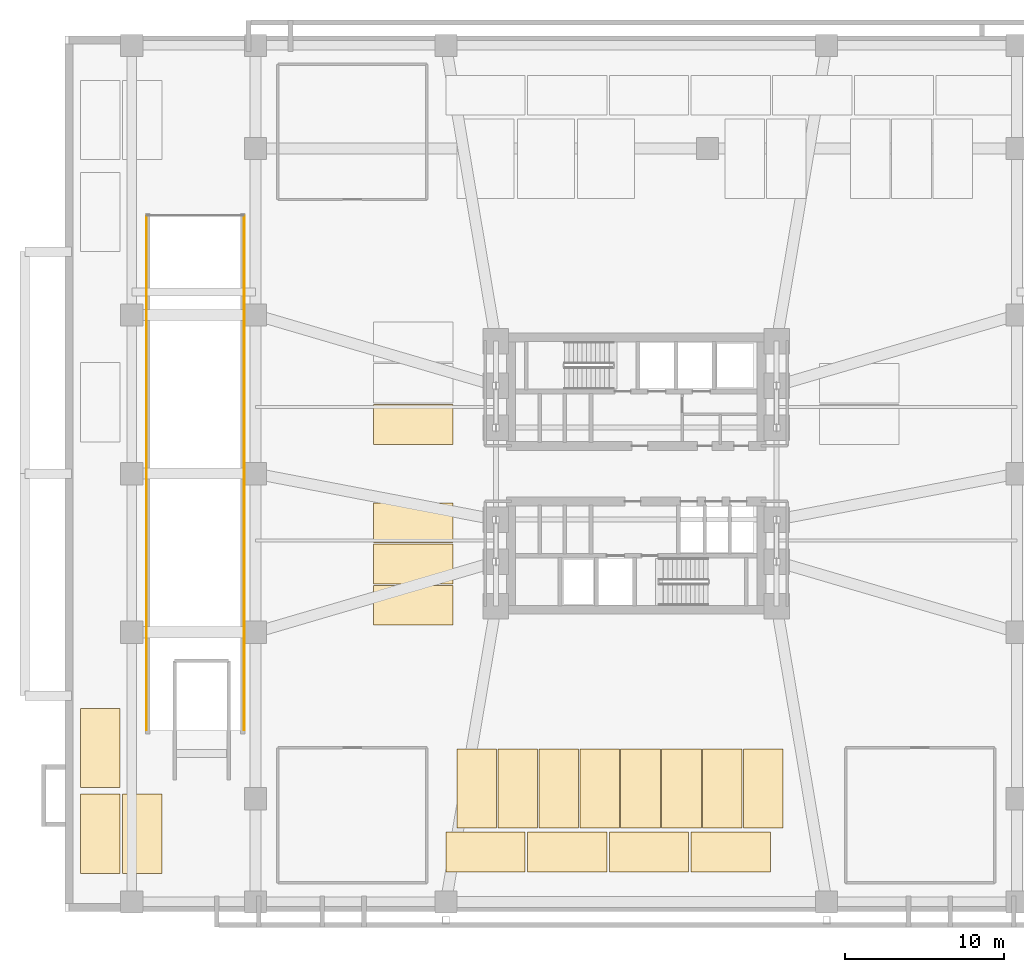
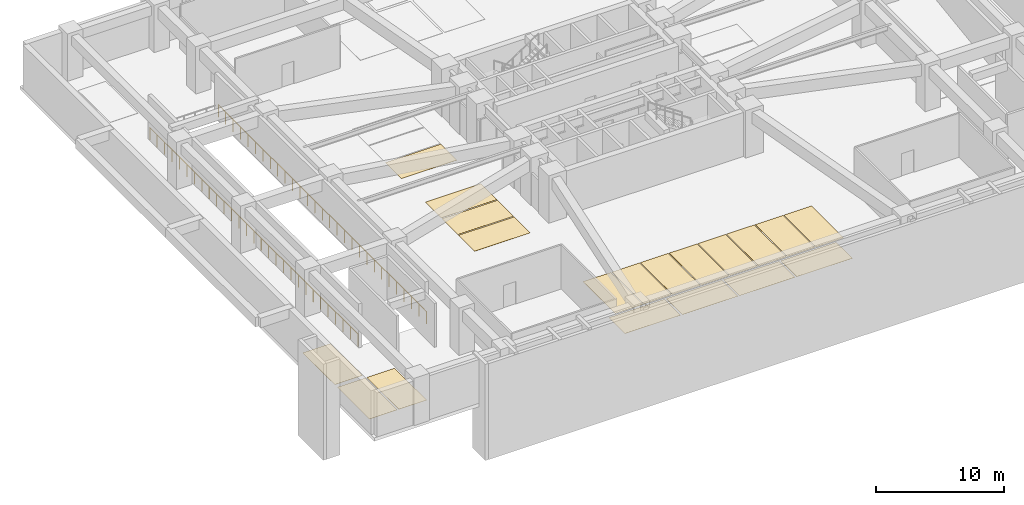
# One storey, part 9 of 13: 19 coverings, 2 railings.
"""IFC4 building model written with IfcOpenShell, lengths in metres."""

from ifc_helpers import new_model, si_unit, direction, frame, origin, origin_2d, place, context, subcontext, project, spatial, polyline, circle, outline, extrude, material, layer, layer_set, type_object, element, save


model = new_model("IFC4")

# Units and contexts
model_context = context("Model", 3, precision=1e-05, world=origin(), true_north=direction((0.0, 1.0)))
body_context = subcontext(model_context, "Body", "Model", "MODEL_VIEW")
ifc_project = project(units=[si_unit("LENGTHUNIT", "METRE"), si_unit("AREAUNIT", "SQUARE_METRE"), si_unit("VOLUMEUNIT", "CUBIC_METRE"), si_unit("PLANEANGLEUNIT", "RADIAN"), si_unit("MASSUNIT", "GRAM", prefix="KILO")], contexts=[model_context])

# Site, building, storey
site_placement = place(None, origin())
site = spatial("IfcSite", under=ifc_project, at=site_placement, CompositionType="ELEMENT")
building_placement = place(site_placement, origin())
building = spatial("IfcBuilding", under=site, at=building_placement, Name="Solmarez Civic Tower", CompositionType="ELEMENT")
storey_placement = place(building_placement, frame((0.0, 0.0, -4.5)))
storey = spatial("IfcBuildingStorey", under=building, at=storey_placement, Name="B1", CompositionType="ELEMENT", Elevation=-4.5)

# Coverings
ifc_material_1 = material(Name="Epoxy Traffic Deck Coating")
ifc_layer = layer(ifc_material_1, 0.010009765625)
ifc_layer_set = layer_set([ifc_layer], Name="Epoxy Traffic Deck Coating")
covering_type = type_object("IfcCoveringType", Name="COV-PARK-BAY", PredefinedType="FLOORING", material=ifc_layer_set)
covering_1_placement = place(storey_placement, origin())
element("IfcCovering", 1, at=covering_1_placement, inside=storey, type_object=covering_type, Name="B1 Parking Bay Marking 050", PredefinedType="FLOORING", context=body_context, shape_type="SweptSolid", body=[
    extrude(outline(polyline([(-11.300048828125, -22.35009765625), (-8.800048828125, -22.35009765625), (-8.800048828125, -17.35009765625), (-11.300048828125, -17.35009765625), (-11.300048828125, -22.35009765625)])), origin(), (0.0, 0.0, 1.0), 0.010009765625),
])
covering_2_placement = place(storey_placement, origin())
element("IfcCovering", 2, at=covering_2_placement, inside=storey, type_object=covering_type, Name="B1 Parking Bay Marking 051", PredefinedType="FLOORING", context=body_context, shape_type="SweptSolid", body=[
    extrude(outline(polyline([(-8.719970703125, -22.35009765625), (-6.219970703125, -22.35009765625), (-6.219970703125, -17.35009765625), (-8.719970703125, -17.35009765625), (-8.719970703125, -22.35009765625)])), origin(), (0.0, 0.0, 1.0), 0.010009765625),
])
covering_3_placement = place(storey_placement, origin())
element("IfcCovering", 3, at=covering_3_placement, inside=storey, type_object=covering_type, Name="B1 Parking Bay Marking 052", PredefinedType="FLOORING", context=body_context, shape_type="SweptSolid", body=[
    extrude(outline(polyline([(-6.139892578125, -22.35009765625), (-3.639892578125, -22.35009765625), (-3.639892578125, -17.35009765625), (-6.139892578125, -17.35009765625), (-6.139892578125, -22.35009765625)])), origin(), (0.0, 0.0, 1.0), 0.010009765625),
])
covering_4_placement = place(storey_placement, origin())
element("IfcCovering", 4, at=covering_4_placement, inside=storey, type_object=covering_type, Name="B1 Parking Bay Marking 053", PredefinedType="FLOORING", context=body_context, shape_type="SweptSolid", body=[
    extrude(outline(polyline([(-3.56005859375, -22.35009765625), (-1.06005859375, -22.35009765625), (-1.06005859375, -17.35009765625), (-3.56005859375, -17.35009765625), (-3.56005859375, -22.35009765625)])), origin(), (0.0, 0.0, 1.0), 0.010009765625),
])
covering_5_placement = place(storey_placement, origin())
element("IfcCovering", 5, at=covering_5_placement, inside=storey, type_object=covering_type, Name="B1 Parking Bay Marking 054", PredefinedType="FLOORING", context=body_context, shape_type="SweptSolid", body=[
    extrude(outline(polyline([(-0.97998046875, -22.35009765625), (1.52001953125, -22.35009765625), (1.52001953125, -17.35009765625), (-0.97998046875, -17.35009765625), (-0.97998046875, -22.35009765625)])), origin(), (0.0, 0.0, 1.0), 0.010009765625),
])
covering_6_placement = place(storey_placement, origin())
element("IfcCovering", 6, at=covering_6_placement, inside=storey, type_object=covering_type, Name="B1 Parking Bay Marking 055", PredefinedType="FLOORING", context=body_context, shape_type="SweptSolid", body=[
    extrude(outline(polyline([(1.60009765625, -22.35009765625), (4.10009765625, -22.35009765625), (4.10009765625, -17.35009765625), (1.60009765625, -17.35009765625), (1.60009765625, -22.35009765625)])), origin(), (0.0, 0.0, 1.0), 0.010009765625),
])
covering_7_placement = place(storey_placement, origin())
element("IfcCovering", 7, at=covering_7_placement, inside=storey, type_object=covering_type, Name="B1 Parking Bay Marking 056", PredefinedType="FLOORING", context=body_context, shape_type="SweptSolid", body=[
    extrude(outline(polyline([(4.179931640625, -22.35009765625), (6.679931640625, -22.35009765625), (6.679931640625, -17.35009765625), (4.179931640625, -17.35009765625), (4.179931640625, -22.35009765625)])), origin(), (0.0, 0.0, 1.0), 0.010009765625),
])
covering_8_placement = place(storey_placement, origin())
element("IfcCovering", 8, at=covering_8_placement, inside=storey, type_object=covering_type, Name="B1 Parking Bay Marking 057", PredefinedType="FLOORING", context=body_context, shape_type="SweptSolid", body=[
    extrude(outline(polyline([(6.760009765625, -22.35009765625), (9.260009765625, -22.35009765625), (9.260009765625, -17.35009765625), (6.760009765625, -17.35009765625), (6.760009765625, -22.35009765625)])), origin(), (0.0, 0.0, 1.0), 0.010009765625),
])
covering_9_placement = place(storey_placement, origin())
element("IfcCovering", 9, at=covering_9_placement, inside=storey, type_object=covering_type, Name="B1 Parking Bay Marking 070", PredefinedType="FLOORING", context=body_context, shape_type="SweptSolid", body=[
    extrude(outline(polyline([(-12.0, -25.10009765625), (-7.0, -25.10009765625), (-7.0, -22.60009765625), (-12.0, -22.60009765625), (-12.0, -25.10009765625)])), origin(), (0.0, 0.0, 1.0), 0.010009765625),
])
covering_10_placement = place(storey_placement, origin())
element("IfcCovering", 10, at=covering_10_placement, inside=storey, type_object=covering_type, Name="B1 Parking Bay Marking 071", PredefinedType="FLOORING", context=body_context, shape_type="SweptSolid", body=[
    extrude(outline(polyline([(-6.85009765625, -25.10009765625), (-1.85009765625, -25.10009765625), (-1.85009765625, -22.60009765625), (-6.85009765625, -22.60009765625), (-6.85009765625, -25.10009765625)])), origin(), (0.0, 0.0, 1.0), 0.010009765625),
])
covering_11_placement = place(storey_placement, origin())
element("IfcCovering", 11, at=covering_11_placement, inside=storey, type_object=covering_type, Name="B1 Parking Bay Marking 072", PredefinedType="FLOORING", context=body_context, shape_type="SweptSolid", body=[
    extrude(outline(polyline([(-1.699951171875, -25.10009765625), (3.300048828125, -25.10009765625), (3.300048828125, -22.60009765625), (-1.699951171875, -22.60009765625), (-1.699951171875, -25.10009765625)])), origin(), (0.0, 0.0, 1.0), 0.010009765625),
])
covering_12_placement = place(storey_placement, origin())
element("IfcCovering", 12, at=covering_12_placement, inside=storey, type_object=covering_type, Name="B1 Parking Bay Marking 073", PredefinedType="FLOORING", context=body_context, shape_type="SweptSolid", body=[
    extrude(outline(polyline([(3.449951171875, -25.10009765625), (8.449951171875, -25.10009765625), (8.449951171875, -22.60009765625), (3.449951171875, -22.60009765625), (3.449951171875, -25.10009765625)])), origin(), (0.0, 0.0, 1.0), 0.010009765625),
])
covering_13_placement = place(storey_placement, origin())
element("IfcCovering", 13, at=covering_13_placement, inside=storey, type_object=covering_type, Name="B1 Parking Bay Marking 074", PredefinedType="FLOORING", context=body_context, shape_type="SweptSolid", body=[
    extrude(outline(polyline([(-35.050048828125, -25.199951171875), (-32.550048828125, -25.199951171875), (-32.550048828125, -20.199951171875), (-35.050048828125, -20.199951171875), (-35.050048828125, -25.199951171875)])), origin(), (0.0, 0.0, 1.0), 0.010009765625),
])
covering_14_placement = place(storey_placement, origin())
element("IfcCovering", 14, at=covering_14_placement, inside=storey, type_object=covering_type, Name="B1 Parking Bay Marking 075", PredefinedType="FLOORING", context=body_context, shape_type="SweptSolid", body=[
    extrude(outline(polyline([(-35.050048828125, -19.800048828125), (-32.550048828125, -19.800048828125), (-32.550048828125, -14.800048828125), (-35.050048828125, -14.800048828125), (-35.050048828125, -19.800048828125)])), origin(), (0.0, 0.0, 1.0), 0.010009765625),
])
covering_15_placement = place(storey_placement, origin())
element("IfcCovering", 15, at=covering_15_placement, inside=storey, type_object=covering_type, Name="B1 Parking Bay Marking 079", PredefinedType="FLOORING", context=body_context, shape_type="SweptSolid", body=[
    extrude(outline(polyline([(-32.39990234375, -25.199951171875), (-29.89990234375, -25.199951171875), (-29.89990234375, -20.199951171875), (-32.39990234375, -20.199951171875), (-32.39990234375, -25.199951171875)])), origin(), (0.0, 0.0, 1.0), 0.010009765625),
])
covering_16_placement = place(storey_placement, origin())
element("IfcCovering", 16, at=covering_16_placement, inside=storey, type_object=covering_type, Name="B1 Parking Bay Marking 089", PredefinedType="FLOORING", context=body_context, shape_type="SweptSolid", body=[
    extrude(outline(polyline([(-16.550048828125, 1.85009765625), (-11.550048828125, 1.85009765625), (-11.550048828125, 4.35009765625), (-16.550048828125, 4.35009765625), (-16.550048828125, 1.85009765625)])), origin(), (0.0, 0.0, 1.0), 0.010009765625),
])
covering_17_placement = place(storey_placement, origin())
element("IfcCovering", 17, at=covering_17_placement, inside=storey, type_object=covering_type, Name="B1 Parking Bay Marking 092", PredefinedType="FLOORING", context=body_context, shape_type="SweptSolid", body=[
    extrude(outline(polyline([(-16.550048828125, -4.35009765625), (-11.550048828125, -4.35009765625), (-11.550048828125, -1.85009765625), (-16.550048828125, -1.85009765625), (-16.550048828125, -4.35009765625)])), origin(), (0.0, 0.0, 1.0), 0.010009765625),
])
covering_18_placement = place(storey_placement, origin())
element("IfcCovering", 18, at=covering_18_placement, inside=storey, type_object=covering_type, Name="B1 Parking Bay Marking 093", PredefinedType="FLOORING", context=body_context, shape_type="SweptSolid", body=[
    extrude(outline(polyline([(-16.550048828125, -6.949951171875), (-11.550048828125, -6.949951171875), (-11.550048828125, -4.449951171875), (-16.550048828125, -4.449951171875), (-16.550048828125, -6.949951171875)])), origin(), (0.0, 0.0, 1.0), 0.010009765625),
])
covering_19_placement = place(storey_placement, origin())
element("IfcCovering", 19, at=covering_19_placement, inside=storey, type_object=covering_type, Name="B1 Parking Bay Marking 094", PredefinedType="FLOORING", context=body_context, shape_type="SweptSolid", body=[
    extrude(outline(polyline([(-16.550048828125, -9.550048828125), (-11.550048828125, -9.550048828125), (-11.550048828125, -7.050048828125), (-16.550048828125, -7.050048828125), (-16.550048828125, -9.550048828125)])), origin(), (0.0, 0.0, 1.0), 0.010009765625),
])

# Railings
ifc_material_2 = material(Name="Bronze Anodised Aluminium and Laminated Safety Glass Balustrade", Category="aluminium")
railing_type = type_object("IfcRailingType", Name="GUARD-TERR-1180", PredefinedType="BALUSTRADE", material=ifc_material_2)
railing_1_placement = place(storey_placement, frame((-30.8798828125, -16.1650390625, 0.0)))
element("IfcRailing", 20, at=railing_1_placement, inside=storey, type_object=railing_type, Name="B1 Safety Balustrade GRD-RAMP-B1-VOID-1", PredefinedType="BALUSTRADE", context=body_context, shape_type="SweptSolid", body=[
    extrude(circle(Radius=0.02392578125, at=origin_2d()), frame((0.0, 0.0, 1.15576171875), z_axis=(0.0, 1.0, 0.0), x_axis=(-1.0, 0.0, 0.0)), (0.0, 0.0, 1.0), 32.41015625),
    extrude(circle(Radius=0.02099609375, at=origin_2d()), origin(), (0.0, 0.0, 1.0), 1.1318359375),
    extrude(circle(Radius=0.02099609375, at=origin_2d()), frame((0.0, 1.157470703125, 0.0)), (0.0, 0.0, 1.0), 1.1318359375),
    extrude(circle(Radius=0.02099609375, at=origin_2d()), frame((0.0, 2.31494140625, 0.0)), (0.0, 0.0, 1.0), 1.1318359375),
    extrude(circle(Radius=0.02099609375, at=origin_2d()), frame((0.0, 3.472412109375, 0.0)), (0.0, 0.0, 1.0), 1.1318359375),
    extrude(circle(Radius=0.02099609375, at=origin_2d()), frame((0.0, 4.630126953125, 0.0)), (0.0, 0.0, 1.0), 1.1318359375),
    extrude(circle(Radius=0.02099609375, at=origin_2d()), frame((0.0, 5.78759765625, 0.0)), (0.0, 0.0, 1.0), 1.1318359375),
    extrude(circle(Radius=0.02099609375, at=origin_2d()), frame((0.0, 6.945068359375, 0.0)), (0.0, 0.0, 1.0), 1.1318359375),
    extrude(circle(Radius=0.02099609375, at=origin_2d()), frame((0.0, 8.1025390625, 0.0)), (0.0, 0.0, 1.0), 1.1318359375),
    extrude(circle(Radius=0.02099609375, at=origin_2d()), frame((0.0, 9.260009765625, 0.0)), (0.0, 0.0, 1.0), 1.1318359375),
    extrude(circle(Radius=0.02099609375, at=origin_2d()), frame((0.0, 10.41748046875, 0.0)), (0.0, 0.0, 1.0), 1.1318359375),
    extrude(circle(Radius=0.02099609375, at=origin_2d()), frame((0.0, 11.574951171875, 0.0)), (0.0, 0.0, 1.0), 1.1318359375),
    extrude(circle(Radius=0.02099609375, at=origin_2d()), frame((0.0, 12.732666015625, 0.0)), (0.0, 0.0, 1.0), 1.1318359375),
    extrude(circle(Radius=0.02099609375, at=origin_2d()), frame((0.0, 13.89013671875, 0.0)), (0.0, 0.0, 1.0), 1.1318359375),
    extrude(circle(Radius=0.02099609375, at=origin_2d()), frame((0.0, 15.047607421875, 0.0)), (0.0, 0.0, 1.0), 1.1318359375),
    extrude(circle(Radius=0.02099609375, at=origin_2d()), frame((0.0, 16.205078125, 0.0)), (0.0, 0.0, 1.0), 1.1318359375),
    extrude(circle(Radius=0.02099609375, at=origin_2d()), frame((0.0, 17.362548828125, 0.0)), (0.0, 0.0, 1.0), 1.1318359375),
    extrude(circle(Radius=0.02099609375, at=origin_2d()), frame((0.0, 18.52001953125, 0.0)), (0.0, 0.0, 1.0), 1.1318359375),
    extrude(circle(Radius=0.02099609375, at=origin_2d()), frame((0.0, 19.677490234375, 0.0)), (0.0, 0.0, 1.0), 1.1318359375),
    extrude(circle(Radius=0.02099609375, at=origin_2d()), frame((0.0, 20.835205078125, 0.0)), (0.0, 0.0, 1.0), 1.1318359375),
    extrude(circle(Radius=0.02099609375, at=origin_2d()), frame((0.0, 21.99267578125, 0.0)), (0.0, 0.0, 1.0), 1.1318359375),
    extrude(circle(Radius=0.02099609375, at=origin_2d()), frame((0.0, 23.150146484375, 0.0)), (0.0, 0.0, 1.0), 1.1318359375),
    extrude(circle(Radius=0.02099609375, at=origin_2d()), frame((0.0, 24.3076171875, 0.0)), (0.0, 0.0, 1.0), 1.1318359375),
    extrude(circle(Radius=0.02099609375, at=origin_2d()), frame((0.0, 25.465087890625, 0.0)), (0.0, 0.0, 1.0), 1.1318359375),
    extrude(circle(Radius=0.02099609375, at=origin_2d()), frame((0.0, 26.62255859375, 0.0)), (0.0, 0.0, 1.0), 1.1318359375),
    extrude(circle(Radius=0.02099609375, at=origin_2d()), frame((0.0, 27.780029296875, 0.0)), (0.0, 0.0, 1.0), 1.1318359375),
    extrude(circle(Radius=0.02099609375, at=origin_2d()), frame((0.0, 28.937744140625, 0.0)), (0.0, 0.0, 1.0), 1.1318359375),
    extrude(circle(Radius=0.02099609375, at=origin_2d()), frame((0.0, 30.09521484375, 0.0)), (0.0, 0.0, 1.0), 1.1318359375),
    extrude(circle(Radius=0.02099609375, at=origin_2d()), frame((0.0, 31.252685546875, 0.0)), (0.0, 0.0, 1.0), 1.1318359375),
    extrude(circle(Radius=0.02099609375, at=origin_2d()), frame((0.0, 32.41015625, 0.0)), (0.0, 0.0, 1.0), 1.1318359375),
])
railing_2_placement = place(storey_placement, frame((-24.719970703125, 16.2451171875, 0.0)))
element("IfcRailing", 21, at=railing_2_placement, inside=storey, type_object=railing_type, Name="B1 Safety Balustrade GRD-RAMP-B1-VOID-3", PredefinedType="BALUSTRADE", context=body_context, shape_type="SweptSolid", body=[
    extrude(circle(Radius=0.02392578125, at=origin_2d()), frame((0.0, 0.0, 1.15576171875), z_axis=(0.0, -1.0, 0.0), x_axis=(1.0, 0.0, 0.0)), (0.0, 0.0, 1.0), 32.41015625),
    extrude(circle(Radius=0.02099609375, at=origin_2d()), origin(), (0.0, 0.0, 1.0), 1.1318359375),
    extrude(circle(Radius=0.02099609375, at=origin_2d()), frame((0.0, -1.157470703125, 0.0)), (0.0, 0.0, 1.0), 1.1318359375),
    extrude(circle(Radius=0.02099609375, at=origin_2d()), frame((0.0, -2.31494140625, 0.0)), (0.0, 0.0, 1.0), 1.1318359375),
    extrude(circle(Radius=0.02099609375, at=origin_2d()), frame((0.0, -3.472412109375, 0.0)), (0.0, 0.0, 1.0), 1.1318359375),
    extrude(circle(Radius=0.02099609375, at=origin_2d()), frame((0.0, -4.630126953125, 0.0)), (0.0, 0.0, 1.0), 1.1318359375),
    extrude(circle(Radius=0.02099609375, at=origin_2d()), frame((0.0, -5.78759765625, 0.0)), (0.0, 0.0, 1.0), 1.1318359375),
    extrude(circle(Radius=0.02099609375, at=origin_2d()), frame((0.0, -6.945068359375, 0.0)), (0.0, 0.0, 1.0), 1.1318359375),
    extrude(circle(Radius=0.02099609375, at=origin_2d()), frame((0.0, -8.1025390625, 0.0)), (0.0, 0.0, 1.0), 1.1318359375),
    extrude(circle(Radius=0.02099609375, at=origin_2d()), frame((0.0, -9.260009765625, 0.0)), (0.0, 0.0, 1.0), 1.1318359375),
    extrude(circle(Radius=0.02099609375, at=origin_2d()), frame((0.0, -10.41748046875, 0.0)), (0.0, 0.0, 1.0), 1.1318359375),
    extrude(circle(Radius=0.02099609375, at=origin_2d()), frame((0.0, -11.574951171875, 0.0)), (0.0, 0.0, 1.0), 1.1318359375),
    extrude(circle(Radius=0.02099609375, at=origin_2d()), frame((0.0, -12.732666015625, 0.0)), (0.0, 0.0, 1.0), 1.1318359375),
    extrude(circle(Radius=0.02099609375, at=origin_2d()), frame((0.0, -13.89013671875, 0.0)), (0.0, 0.0, 1.0), 1.1318359375),
    extrude(circle(Radius=0.02099609375, at=origin_2d()), frame((0.0, -15.047607421875, 0.0)), (0.0, 0.0, 1.0), 1.1318359375),
    extrude(circle(Radius=0.02099609375, at=origin_2d()), frame((0.0, -16.205078125, 0.0)), (0.0, 0.0, 1.0), 1.1318359375),
    extrude(circle(Radius=0.02099609375, at=origin_2d()), frame((0.0, -17.362548828125, 0.0)), (0.0, 0.0, 1.0), 1.1318359375),
    extrude(circle(Radius=0.02099609375, at=origin_2d()), frame((0.0, -18.52001953125, 0.0)), (0.0, 0.0, 1.0), 1.1318359375),
    extrude(circle(Radius=0.02099609375, at=origin_2d()), frame((0.0, -19.677490234375, 0.0)), (0.0, 0.0, 1.0), 1.1318359375),
    extrude(circle(Radius=0.02099609375, at=origin_2d()), frame((0.0, -20.835205078125, 0.0)), (0.0, 0.0, 1.0), 1.1318359375),
    extrude(circle(Radius=0.02099609375, at=origin_2d()), frame((0.0, -21.99267578125, 0.0)), (0.0, 0.0, 1.0), 1.1318359375),
    extrude(circle(Radius=0.02099609375, at=origin_2d()), frame((0.0, -23.150146484375, 0.0)), (0.0, 0.0, 1.0), 1.1318359375),
    extrude(circle(Radius=0.02099609375, at=origin_2d()), frame((0.0, -24.3076171875, 0.0)), (0.0, 0.0, 1.0), 1.1318359375),
    extrude(circle(Radius=0.02099609375, at=origin_2d()), frame((0.0, -25.465087890625, 0.0)), (0.0, 0.0, 1.0), 1.1318359375),
    extrude(circle(Radius=0.02099609375, at=origin_2d()), frame((0.0, -26.62255859375, 0.0)), (0.0, 0.0, 1.0), 1.1318359375),
    extrude(circle(Radius=0.02099609375, at=origin_2d()), frame((0.0, -27.780029296875, 0.0)), (0.0, 0.0, 1.0), 1.1318359375),
    extrude(circle(Radius=0.02099609375, at=origin_2d()), frame((0.0, -28.937744140625, 0.0)), (0.0, 0.0, 1.0), 1.1318359375),
    extrude(circle(Radius=0.02099609375, at=origin_2d()), frame((0.0, -30.09521484375, 0.0)), (0.0, 0.0, 1.0), 1.1318359375),
    extrude(circle(Radius=0.02099609375, at=origin_2d()), frame((0.0, -31.252685546875, 0.0)), (0.0, 0.0, 1.0), 1.1318359375),
    extrude(circle(Radius=0.02099609375, at=origin_2d()), frame((0.0, -32.41015625, 0.0)), (0.0, 0.0, 1.0), 1.1318359375),
])

save(model, "model.ifc")
